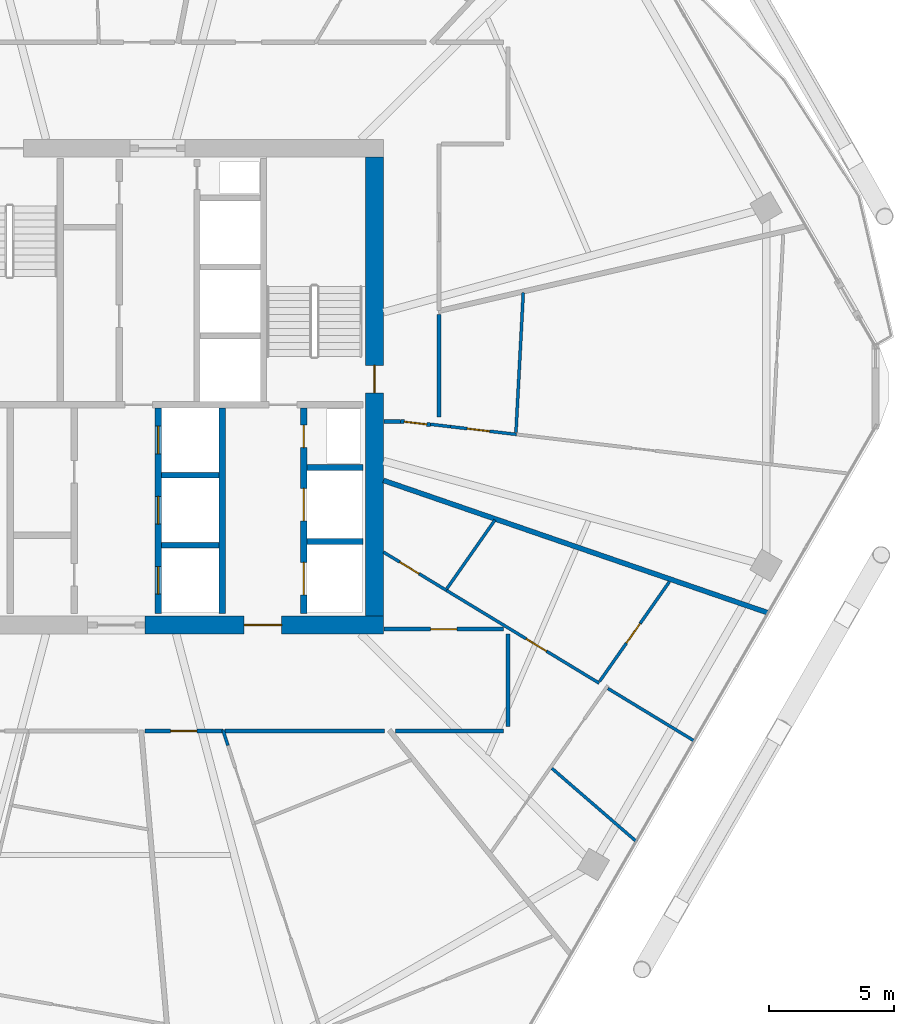
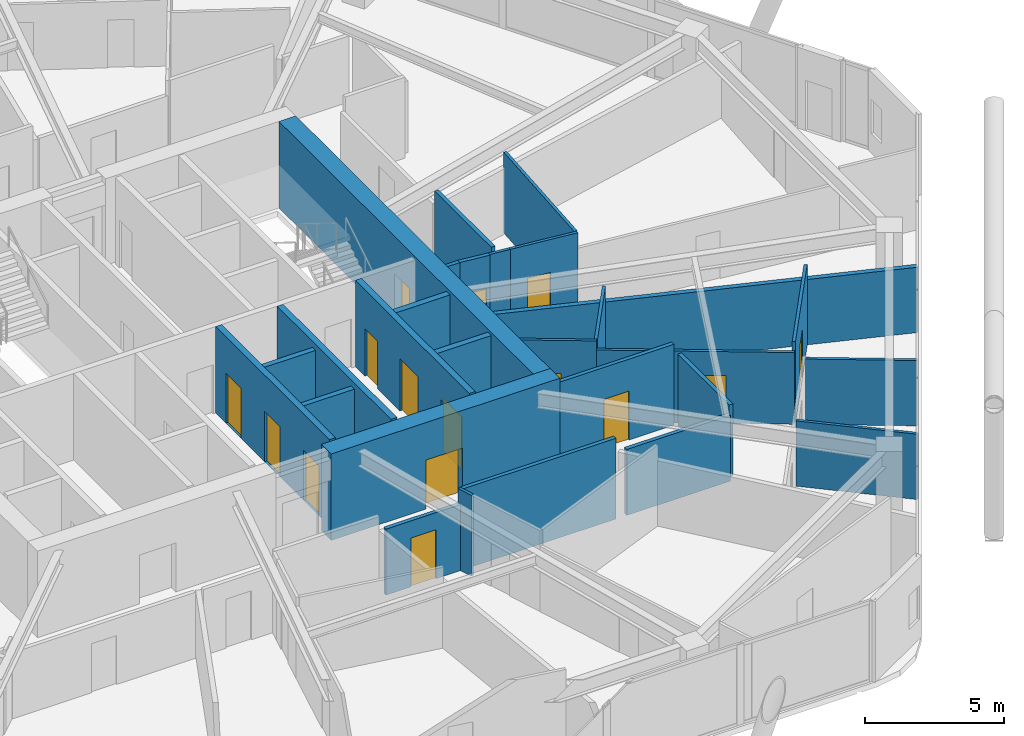
# One storey, part 21 of 27: 28 walls, 15 doors, 15 openings.
"""IFC4 building model written with IfcOpenShell, lengths in metres."""

from ifc_helpers import new_model, si_unit, direction, frame, frame_2d, origin, place, context, subcontext, project, spatial, rectangle, extrude, material, layer, layer_set, type_object, element, fill, save


model = new_model("IFC4")

# Units and contexts
model_context = context("Model", 3, precision=1e-05, world=origin(), true_north=direction((0.0, 1.0)))
body_context = subcontext(model_context, "Body", "Model", "MODEL_VIEW")
ifc_project = project(units=[si_unit("LENGTHUNIT", "METRE"), si_unit("AREAUNIT", "SQUARE_METRE"), si_unit("VOLUMEUNIT", "CUBIC_METRE"), si_unit("PLANEANGLEUNIT", "RADIAN"), si_unit("MASSUNIT", "GRAM", prefix="KILO")], contexts=[model_context])

# Site, building, storey
site_placement = place(None, origin())
site = spatial("IfcSite", under=ifc_project, at=site_placement, CompositionType="ELEMENT")
building_placement = place(site_placement, origin())
building = spatial("IfcBuilding", under=site, at=building_placement, Name="Zuhravey Tower", CompositionType="ELEMENT")
storey_placement = place(building_placement, frame((0.0, 0.0, 215.0)))
storey = spatial("IfcBuildingStorey", under=building, at=storey_placement, Name="L54", CompositionType="ELEMENT", Elevation=215.0)

# Wall, opening, door
ifc_material_1 = material(Name="Concrete C60/75", Category="concrete")
ifc_layer_1 = layer(ifc_material_1, 0.699951171875)
ifc_layer_set_1 = layer_set([ifc_layer_1], Name="Concrete C60/75")
wall_type_1 = type_object("IfcWallType", Name="Core Shear Wall 700", PredefinedType="SHEAR", material=ifc_layer_set_1)
wall_1_placement = place(storey_placement, frame((37.35009765625, 22.5, 0.0), z_axis=(0.0, 0.0, 1.0), x_axis=(1.0, 0.0, 0.0)))
wall_1 = element("IfcWall", 1, at=wall_1_placement, inside=storey, type_object=wall_type_1, Name="L54 South-East Core Shear Wall CW70", PredefinedType="SHEAR", context=body_context, shape_type="SweptSolid", body=[
    extrude(rectangle(XDim=9.5, YDim=0.699951171875, at=frame_2d((4.75, 0.0))), origin(), (0.0, 0.0, 1.0), 3.800048828125),
])
opening_1_placement = place(wall_1_placement, frame((3.949951171875, 0.0, 0.0)))
opening_1 = element("IfcOpeningElement", 2, at=opening_1_placement, cuts=wall_1, Name="Opening FFD1", PredefinedType="OPENING", context=body_context, shape_type="SweptSolid", body=[
    extrude(rectangle(XDim=1.5, YDim=2.14990234375, at=frame_2d((0.75, 1.074951171875))), frame((0.0, 0.362060546875, 0.0), z_axis=(0.0, -1.0, 0.0), x_axis=(1.0, 0.0, 0.0)), (0.0, 0.0, 1.0), 0.723876953125),
])
ifc_material_2 = material(Name="Galvanised fire-rated steel leaf", Category="steel")
door_type_1 = type_object("IfcDoorType", Name="Firefighting Lobby Double Door 1500x2150", OperationType="DOUBLE_DOOR_SINGLE_SWING", PredefinedType="DOOR", material=ifc_material_2)
door_1_placement = place(opening_1_placement, origin())
door_1 = element("IfcDoor", 3, at=door_1_placement, inside=storey, type_object=door_type_1, Name="L54 Firefighting Lobby East Door", OperationType="DOUBLE_DOOR_SINGLE_SWING", OverallHeight=2.14990234375, OverallWidth=1.5, PredefinedType="DOOR", context=body_context, shape_type="SweptSolid", body=[
    extrude(rectangle(XDim=1.5, YDim=2.14990234375, at=frame_2d((0.75, 1.074951171875))), frame((0.0, 0.02490234375, 0.0), z_axis=(0.0, -1.0, 0.0), x_axis=(1.0, 0.0, 0.0)), (0.0, 0.0, 1.0), 0.050048828125),
])
fill(opening_1, door_1)

wall_2_placement = place(storey_placement, frame((46.5, 22.85009765625, 0.0), z_axis=(0.0, 0.0, 1.0), x_axis=(0.0, 1.0, 0.0)))
wall_2 = element("IfcWall", 4, at=wall_2_placement, inside=storey, type_object=wall_type_1, Name="L54 East Core Shear Wall CW70", PredefinedType="SHEAR", context=body_context, shape_type="SweptSolid", body=[
    extrude(rectangle(XDim=18.2998046875, YDim=0.699951171875, at=frame_2d((9.14990234375, 0.0))), origin(), (0.0, 0.0, 1.0), 3.800048828125),
])
opening_2_placement = place(wall_2_placement, frame((8.89990234375, 0.0, 0.0)))
opening_2 = element("IfcOpeningElement", 5, at=opening_2_placement, cuts=wall_2, Name="Opening STD1", PredefinedType="OPENING", context=body_context, shape_type="SweptSolid", body=[
    extrude(rectangle(XDim=1.10009765625, YDim=2.14990234375, at=frame_2d((0.550048828125, 1.074951171875))), frame((0.0, 0.362060546875, 0.0), z_axis=(0.0, -1.0, 0.0), x_axis=(1.0, 0.0, 0.0)), (0.0, 0.0, 1.0), 0.723876953125),
])
door_type_2 = type_object("IfcDoorType", Name="Protected Stair Fire Door 1100x2150", OperationType="NOTDEFINED", PredefinedType="USERDEFINED", material=ifc_material_2)
door_2_placement = place(opening_2_placement, origin())
door_2 = element("IfcDoor", 6, at=door_2_placement, inside=storey, type_object=door_type_2, Name="L54 Stair ST2 Door", ObjectType="EXITDOOR", OperationType="SINGLE_SWING_RIGHT", OverallHeight=2.14990234375, OverallWidth=1.10009765625, PredefinedType="USERDEFINED", context=body_context, shape_type="SweptSolid", body=[
    extrude(rectangle(XDim=1.10009765625, YDim=2.14990234375, at=frame_2d((0.550048828125, 1.074951171875))), frame((0.0, 0.02490234375, 0.0), z_axis=(0.0, -1.0, 0.0), x_axis=(1.0, 0.0, 0.0)), (0.0, 0.0, 1.0), 0.050048828125),
])
fill(opening_2, door_2)

ifc_material_3 = material(Name="Gypsum fire-rated stud partition")
ifc_layer_2 = layer(ifc_material_3, 0.159912109375)
ifc_layer_set_2 = layer_set([ifc_layer_2], Name="Gypsum fire-rated stud partition")
wall_type_2 = type_object("IfcWallType", Name="Corridor Fire Partition 160", PredefinedType="PARTITIONING", material=ifc_layer_set_2)
wall_3_placement = place(storey_placement, frame((37.342041015625, 18.27001953125, 0.0), z_axis=(0.0, 0.0, 1.0), x_axis=(1.0, 0.0, 0.0)))
wall_3 = element("IfcWall", 7, at=wall_3_placement, inside=storey, type_object=wall_type_2, Name="L54 IW16 Partition 059", PredefinedType="PARTITIONING", context=body_context, shape_type="SweptSolid", body=[
    extrude(rectangle(XDim=3.108642578125, YDim=0.159912109375, at=frame_2d((1.55419921875, 0.0))), origin(), (0.0, 0.0, 1.0), 2.89990234375),
])
opening_3_placement = place(wall_3_placement, frame((1.029296875, 0.0, 0.0)))
opening_3 = element("IfcOpeningElement", 8, at=opening_3_placement, cuts=wall_3, Name="Opening APD1", PredefinedType="OPENING", context=body_context, shape_type="SweptSolid", body=[
    extrude(rectangle(XDim=1.050048828125, YDim=2.14990234375, at=frame_2d((0.52490234375, 1.074951171875))), frame((0.0, 0.092041015625, 0.0), z_axis=(0.0, -1.0, 0.0), x_axis=(1.0, 0.0, 0.0)), (0.0, 0.0, 1.0), 0.183837890625),
])
ifc_material_4 = material(Name="Solid-core oak fire-rated leaf")
door_type_3 = type_object("IfcDoorType", Name="Apartment Entrance Fire Door 1050x2150", OperationType="NOTDEFINED", PredefinedType="DOOR", material=ifc_material_4)
door_3_placement = place(opening_3_placement, frame((1.050048828125, 0.0, 0.0), z_axis=(0.0, 0.0, 1.0), x_axis=(-1.0, 0.0, 0.0)))
door_3 = element("IfcDoor", 9, at=door_3_placement, inside=storey, type_object=door_type_3, Name="L54 Door 059.1", OperationType="SINGLE_SWING_LEFT", OverallHeight=2.14990234375, OverallWidth=1.050048828125, PredefinedType="DOOR", context=body_context, shape_type="SweptSolid", body=[
    extrude(rectangle(XDim=1.050048828125, YDim=2.14990234375, at=frame_2d((0.52490234375, 1.074951171875))), frame((0.0, 0.02490234375, 0.0), z_axis=(0.0, -1.0, 0.0), x_axis=(1.0, 0.0, 0.0)), (0.0, 0.0, 1.0), 0.050048828125),
])
fill(opening_3, door_3)

wall_4_placement = place(storey_placement, frame((51.64990234375, 22.330078125, 0.0), z_axis=(0.0, 0.0, 1.0), x_axis=(-1.0, 0.0, 0.0)))
wall_4 = element("IfcWall", 10, at=wall_4_placement, inside=storey, type_object=wall_type_2, Name="L54 IW16 Partition 064", PredefinedType="PARTITIONING", context=body_context, shape_type="SweptSolid", body=[
    extrude(rectangle(XDim=4.77978515625, YDim=0.159912109375, at=frame_2d((2.389892578125, 0.0))), origin(), (0.0, 0.0, 1.0), 3.550048828125),
])
opening_4_placement = place(wall_4_placement, frame((1.864990234375, 0.0, 0.0)))
opening_4 = element("IfcOpeningElement", 11, at=opening_4_placement, cuts=wall_4, Name="Opening APD1", PredefinedType="OPENING", context=body_context, shape_type="SweptSolid", body=[
    extrude(rectangle(XDim=1.050048828125, YDim=2.14990234375, at=frame_2d((0.52490234375, 1.074951171875))), frame((0.0, 0.092041015625, 0.0), z_axis=(0.0, -1.0, 0.0), x_axis=(1.0, 0.0, 0.0)), (0.0, 0.0, 1.0), 0.183837890625),
])
door_4_placement = place(opening_4_placement, origin())
door_4 = element("IfcDoor", 12, at=door_4_placement, inside=storey, type_object=door_type_3, Name="L54 Door 064.1", OperationType="SINGLE_SWING_LEFT", OverallHeight=2.14990234375, OverallWidth=1.050048828125, PredefinedType="DOOR", context=body_context, shape_type="SweptSolid", body=[
    extrude(rectangle(XDim=1.050048828125, YDim=2.14990234375, at=frame_2d((0.52490234375, 1.074951171875))), frame((0.0, 0.02490234375, 0.0), z_axis=(0.0, -1.0, 0.0), x_axis=(1.0, 0.0, 0.0)), (0.0, 0.0, 1.0), 0.050048828125),
])
fill(opening_4, door_4)

wall_5_placement = place(storey_placement, frame((47.541259765625, 30.6201171875, 0.0), z_axis=(0.0, 0.0, 1.0), x_axis=(0.993117135496, -0.117125382325, 0.0)))
wall_5 = element("IfcWall", 13, at=wall_5_placement, inside=storey, type_object=wall_type_2, Name="L54 IW16 Partition 068", PredefinedType="PARTITIONING", context=body_context, shape_type="SweptSolid", body=[
    extrude(rectangle(XDim=1.196533203125, YDim=0.159912109375, at=frame_2d((0.59814453125, 0.0))), origin(), (0.0, 0.0, 1.0), 3.550048828125),
])
opening_5_placement = place(wall_5_placement, frame((0.148193359375, 0.0, 0.0)))
opening_5 = element("IfcOpeningElement", 14, at=opening_5_placement, cuts=wall_5, Name="Opening RSD1", PredefinedType="OPENING", context=body_context, shape_type="SweptSolid", body=[
    extrude(rectangle(XDim=0.89990234375, YDim=2.10009765625, at=frame_2d((0.449951171875, 1.050048828125))), frame((0.0, 0.092041015625, 0.0), z_axis=(0.0, -1.0, 0.0), x_axis=(1.0, 0.0, 0.0)), (0.0, 0.0, 1.0), 0.183837890625),
])
ifc_material_5 = material(Name="Galvanised fire-rated steel access leaf", Category="steel")
door_type_4 = type_object("IfcDoorType", Name="Riser & Shaft Access Fire Door 900x2100", OperationType="NOTDEFINED", PredefinedType="DOOR", material=ifc_material_5)
door_5_placement = place(opening_5_placement, frame((0.89990234375, 0.0, 0.0), z_axis=(0.0, 0.0, 1.0), x_axis=(-1.0, 0.0, 0.0)))
door_5 = element("IfcDoor", 15, at=door_5_placement, inside=storey, type_object=door_type_4, Name="L54 Door 068.1", OperationType="SINGLE_SWING_LEFT", OverallHeight=2.10009765625, OverallWidth=0.89990234375, PredefinedType="DOOR", context=body_context, shape_type="SweptSolid", body=[
    extrude(rectangle(XDim=0.89990234375, YDim=2.10009765625, at=frame_2d((0.449951171875, 1.050048828125))), frame((0.0, 0.02490234375, 0.0), z_axis=(0.0, -1.0, 0.0), x_axis=(1.0, 0.0, 0.0)), (0.0, 0.0, 1.0), 0.050048828125),
])
fill(opening_5, door_5)

# Walls
wall_6_placement = place(storey_placement, frame((40.543212890625, 18.27001953125, 0.0), z_axis=(0.0, 0.0, 1.0), x_axis=(1.0, 0.0, 0.0)))
element("IfcWall", 16, at=wall_6_placement, inside=storey, type_object=wall_type_2, Name="L54 IW16 Partition 135", PredefinedType="PARTITIONING", context=body_context, shape_type="SweptSolid", body=[
    extrude(rectangle(XDim=6.3525390625, YDim=0.159912109375, at=frame_2d((3.17626953125, 0.0))), origin(), (0.0, 0.0, 1.0), 3.550048828125),
])
wall_7_placement = place(storey_placement, frame((47.343994140625, 18.27001953125, 0.0), z_axis=(0.0, 0.0, 1.0), x_axis=(1.0, 0.0, 0.0)))
element("IfcWall", 17, at=wall_7_placement, inside=storey, type_object=wall_type_2, Name="L54 IW16 Partition 136", PredefinedType="PARTITIONING", context=body_context, shape_type="SweptSolid", body=[
    extrude(rectangle(XDim=4.305908203125, YDim=0.159912109375, at=frame_2d((2.15283203125, 0.0))), origin(), (0.0, 0.0, 1.0), 2.89990234375),
])
wall_8_placement = place(storey_placement, frame((51.830078125, 18.449951171875, 0.0), z_axis=(0.0, 0.0, 1.0), x_axis=(0.0, 1.0, 0.0)))
element("IfcWall", 18, at=wall_8_placement, inside=storey, type_object=wall_type_2, Name="L54 IW16 Partition 137", PredefinedType="PARTITIONING", context=body_context, shape_type="SweptSolid", body=[
    extrude(rectangle(XDim=3.699951171875, YDim=0.159912109375, at=frame_2d((1.85009765625, 0.0))), origin(), (0.0, 0.0, 1.0), 3.14990234375),
])
wall_9_placement = place(storey_placement, frame((46.8701171875, 30.6201171875, 0.0), z_axis=(0.0, 0.0, 1.0), x_axis=(1.0, 0.0, 0.0)))
element("IfcWall", 19, at=wall_9_placement, inside=storey, type_object=wall_type_2, Name="L54 IW16 Partition 138", PredefinedType="PARTITIONING", context=body_context, shape_type="SweptSolid", body=[
    extrude(rectangle(XDim=0.671142578125, YDim=0.159912109375, at=frame_2d((0.33544921875, 0.0))), origin(), (0.0, 0.0, 1.0), 3.550048828125),
])
wall_10_placement = place(storey_placement, frame((49.080078125, 30.800048828125, 0.0), z_axis=(0.0, 0.0, 1.0), x_axis=(0.0, 1.0, 0.0)))
element("IfcWall", 20, at=wall_10_placement, inside=storey, type_object=wall_type_2, Name="L54 IW16 Partition 139", PredefinedType="PARTITIONING", context=body_context, shape_type="SweptSolid", body=[
    extrude(rectangle(XDim=4.079345703125, YDim=0.159912109375, at=frame_2d((2.03955078125, 0.0))), origin(), (0.0, 0.0, 1.0), 3.550048828125),
])

# Wall, openings, doors
ifc_material_6 = material(Name="Concrete C50/60", Category="concrete")
ifc_layer_3 = layer(ifc_material_6, 0.25)
ifc_layer_set_3 = layer_set([ifc_layer_3], Name="Concrete C50/60")
wall_type_3 = type_object("IfcWallType", Name="Firefighting Shaft & Stair Wall 250", PredefinedType="SOLIDWALL", material=ifc_layer_set_3)
wall_11_placement = place(storey_placement, frame((37.875, 22.949951171875, 0.0), z_axis=(0.0, 0.0, 1.0), x_axis=(0.0, 1.0, 0.0)))
wall_11 = element("IfcWall", 21, at=wall_11_placement, inside=storey, type_object=wall_type_3, Name="L54 FW25 Shaft Wall 015", PredefinedType="SOLIDWALL", context=body_context, shape_type="SweptSolid", body=[
    extrude(rectangle(XDim=8.199951171875, YDim=0.25, at=frame_2d((4.10009765625, 0.0))), origin(), (0.0, 0.0, 1.0), 3.800048828125),
])
opening_6_placement = place(wall_11_placement, frame((0.77490234375, 0.0, 0.0)))
opening_6 = element("IfcOpeningElement", 22, at=opening_6_placement, cuts=wall_11, Name="Opening LD1", PredefinedType="OPENING", context=body_context, shape_type="SweptSolid", body=[
    extrude(rectangle(XDim=1.10009765625, YDim=2.199951171875, at=frame_2d((0.550048828125, 1.10009765625))), frame((0.0, 0.136962890625, 0.0), z_axis=(0.0, -1.0, 0.0), x_axis=(1.0, 0.0, 0.0)), (0.0, 0.0, 1.0), 0.27392578125),
])
opening_7_placement = place(wall_11_placement, frame((3.574951171875, 0.0, 0.0)))
opening_7 = element("IfcOpeningElement", 23, at=opening_7_placement, cuts=wall_11, Name="Opening LD1", PredefinedType="OPENING", context=body_context, shape_type="SweptSolid", body=[
    extrude(rectangle(XDim=1.10009765625, YDim=2.199951171875, at=frame_2d((0.550048828125, 1.10009765625))), frame((0.0, 0.136962890625, 0.0), z_axis=(0.0, -1.0, 0.0), x_axis=(1.0, 0.0, 0.0)), (0.0, 0.0, 1.0), 0.27392578125),
])
opening_8_placement = place(wall_11_placement, frame((6.375, 0.0, 0.0)))
opening_8 = element("IfcOpeningElement", 24, at=opening_8_placement, cuts=wall_11, Name="Opening LD1", PredefinedType="OPENING", context=body_context, shape_type="SweptSolid", body=[
    extrude(rectangle(XDim=1.10009765625, YDim=2.199951171875, at=frame_2d((0.550048828125, 1.10009765625))), frame((0.0, 0.136962890625, 0.0), z_axis=(0.0, -1.0, 0.0), x_axis=(1.0, 0.0, 0.0)), (0.0, 0.0, 1.0), 0.27392578125),
])
ifc_material_7 = material(Name="Brushed stainless steel", Category="steel")
door_type_5 = type_object("IfcDoorType", Name="Lift Landing Sliding Door 1100x2200", OperationType="DOUBLE_DOOR_SLIDING", PredefinedType="DOOR", material=ifc_material_7)
door_6_placement = place(opening_6_placement, origin())
door_6 = element("IfcDoor", 25, at=door_6_placement, inside=storey, type_object=door_type_5, Name="L54 Lift PL4 Landing Door", OperationType="DOUBLE_DOOR_SLIDING", OverallHeight=2.199951171875, OverallWidth=1.10009765625, PredefinedType="DOOR", context=body_context, shape_type="SweptSolid", body=[
    extrude(rectangle(XDim=1.10009765625, YDim=2.199951171875, at=frame_2d((0.550048828125, 1.10009765625))), frame((0.0, 0.02490234375, 0.0), z_axis=(0.0, -1.0, 0.0), x_axis=(1.0, 0.0, 0.0)), (0.0, 0.0, 1.0), 0.050048828125),
])
fill(opening_6, door_6)
door_7_placement = place(opening_7_placement, origin())
door_7 = element("IfcDoor", 26, at=door_7_placement, inside=storey, type_object=door_type_5, Name="L54 Lift PL5 Landing Door", OperationType="DOUBLE_DOOR_SLIDING", OverallHeight=2.199951171875, OverallWidth=1.10009765625, PredefinedType="DOOR", context=body_context, shape_type="SweptSolid", body=[
    extrude(rectangle(XDim=1.10009765625, YDim=2.199951171875, at=frame_2d((0.550048828125, 1.10009765625))), frame((0.0, 0.02490234375, 0.0), z_axis=(0.0, -1.0, 0.0), x_axis=(1.0, 0.0, 0.0)), (0.0, 0.0, 1.0), 0.050048828125),
])
fill(opening_7, door_7)
door_8_placement = place(opening_8_placement, origin())
door_8 = element("IfcDoor", 27, at=door_8_placement, inside=storey, type_object=door_type_5, Name="L54 Lift PL6 Landing Door", OperationType="DOUBLE_DOOR_SLIDING", OverallHeight=2.199951171875, OverallWidth=1.10009765625, PredefinedType="DOOR", context=body_context, shape_type="SweptSolid", body=[
    extrude(rectangle(XDim=1.10009765625, YDim=2.199951171875, at=frame_2d((0.550048828125, 1.10009765625))), frame((0.0, 0.02490234375, 0.0), z_axis=(0.0, -1.0, 0.0), x_axis=(1.0, 0.0, 0.0)), (0.0, 0.0, 1.0), 0.050048828125),
])
fill(opening_8, door_8)

# Walls
wall_12_placement = place(storey_placement, frame((40.425048828125, 22.949951171875, 0.0), z_axis=(0.0, 0.0, 1.0), x_axis=(0.0, 1.0, 0.0)))
element("IfcWall", 28, at=wall_12_placement, inside=storey, type_object=wall_type_3, Name="L54 FW25 Shaft Wall 016", PredefinedType="SOLIDWALL", context=body_context, shape_type="SweptSolid", body=[
    extrude(rectangle(XDim=8.199951171875, YDim=0.25, at=frame_2d((4.10009765625, 0.0))), origin(), (0.0, 0.0, 1.0), 3.800048828125),
])
for number, where, z_axis, x_axis, name in (
    (29, (43.800048828125, 25.824951171875, 0.0), (0.0, 0.0, 1.0), (1.0, 0.0, 0.0), "L54 FW25 Shaft Wall 017"),
    (30, (43.800048828125, 28.77490234375, 0.0), (0.0, 0.0, 1.0), (1.0, 0.0, 0.0), "L54 FW25 Shaft Wall 018"),
):
    element("IfcWall", number, at=place(storey_placement, frame(where, z_axis=z_axis, x_axis=x_axis)), inside=storey, type_object=wall_type_3, Name=name, PredefinedType="SOLIDWALL", context=body_context, shape_type="SweptSolid", body=[
        extrude(rectangle(XDim=2.25, YDim=0.25, at=frame_2d((1.125, 0.0))), origin(), (0.0, 0.0, 1.0), 3.800048828125),
    ])

# Wall, openings, doors
wall_13_placement = place(storey_placement, frame((43.675048828125, 22.949951171875, 0.0), z_axis=(0.0, 0.0, 1.0), x_axis=(0.0, 1.0, 0.0)))
wall_13 = element("IfcWall", 31, at=wall_13_placement, inside=storey, type_object=wall_type_3, Name="L54 FW25 Shaft Wall 019", PredefinedType="SOLIDWALL", context=body_context, shape_type="SweptSolid", body=[
    extrude(rectangle(XDim=8.199951171875, YDim=0.25, at=frame_2d((4.10009765625, 0.0))), origin(), (0.0, 0.0, 1.0), 3.800048828125),
])
opening_9_placement = place(wall_13_placement, frame((0.75, 0.0, 0.0)))
opening_9 = element("IfcOpeningElement", 32, at=opening_9_placement, cuts=wall_13, Name="Opening LD2", PredefinedType="OPENING", context=body_context, shape_type="SweptSolid", body=[
    extrude(rectangle(XDim=1.300048828125, YDim=2.300048828125, at=frame_2d((0.64990234375, 1.14990234375))), frame((0.0, 0.136962890625, 0.0), z_axis=(0.0, -1.0, 0.0), x_axis=(1.0, 0.0, 0.0)), (0.0, 0.0, 1.0), 0.27392578125),
])
opening_10_placement = place(wall_13_placement, frame((3.699951171875, 0.0, 0.0)))
opening_10 = element("IfcOpeningElement", 33, at=opening_10_placement, cuts=wall_13, Name="Opening LD2", PredefinedType="OPENING", context=body_context, shape_type="SweptSolid", body=[
    extrude(rectangle(XDim=1.300048828125, YDim=2.300048828125, at=frame_2d((0.64990234375, 1.14990234375))), frame((0.0, 0.136962890625, 0.0), z_axis=(0.0, -1.0, 0.0), x_axis=(1.0, 0.0, 0.0)), (0.0, 0.0, 1.0), 0.27392578125),
])
opening_11_placement = place(wall_13_placement, frame((6.6201171875, 0.0, 0.0)))
opening_11 = element("IfcOpeningElement", 34, at=opening_11_placement, cuts=wall_13, Name="Opening RSD1", PredefinedType="OPENING", context=body_context, shape_type="SweptSolid", body=[
    extrude(rectangle(XDim=0.89990234375, YDim=2.10009765625, at=frame_2d((0.449951171875, 1.050048828125))), frame((0.0, 0.136962890625, 0.0), z_axis=(0.0, -1.0, 0.0), x_axis=(1.0, 0.0, 0.0)), (0.0, 0.0, 1.0), 0.27392578125),
])
door_type_6 = type_object("IfcDoorType", Name="Freight & Stretcher Lift Sliding Door 1300x2300", OperationType="DOUBLE_DOOR_SLIDING", PredefinedType="DOOR", material=ifc_material_7)
door_9_placement = place(opening_9_placement, origin())
door_9 = element("IfcDoor", 35, at=door_9_placement, inside=storey, type_object=door_type_6, Name="L54 Lift FF2 Landing Door", OperationType="DOUBLE_DOOR_SLIDING", OverallHeight=2.300048828125, OverallWidth=1.300048828125, PredefinedType="DOOR", context=body_context, shape_type="SweptSolid", body=[
    extrude(rectangle(XDim=1.300048828125, YDim=2.300048828125, at=frame_2d((0.64990234375, 1.14990234375))), frame((0.0, 0.02490234375, 0.0), z_axis=(0.0, -1.0, 0.0), x_axis=(1.0, 0.0, 0.0)), (0.0, 0.0, 1.0), 0.050048828125),
])
fill(opening_9, door_9)
door_10_placement = place(opening_10_placement, origin())
door_10 = element("IfcDoor", 36, at=door_10_placement, inside=storey, type_object=door_type_6, Name="L54 Lift SV1 Landing Door", OperationType="DOUBLE_DOOR_SLIDING", OverallHeight=2.300048828125, OverallWidth=1.300048828125, PredefinedType="DOOR", context=body_context, shape_type="SweptSolid", body=[
    extrude(rectangle(XDim=1.300048828125, YDim=2.300048828125, at=frame_2d((0.64990234375, 1.14990234375))), frame((0.0, 0.02490234375, 0.0), z_axis=(0.0, -1.0, 0.0), x_axis=(1.0, 0.0, 0.0)), (0.0, 0.0, 1.0), 0.050048828125),
])
fill(opening_10, door_10)
door_11_placement = place(opening_11_placement, origin())
door_11 = element("IfcDoor", 37, at=door_11_placement, inside=storey, type_object=door_type_4, Name="L54 Plumbing Riser Door", OperationType="SINGLE_SWING_RIGHT", OverallHeight=2.10009765625, OverallWidth=0.89990234375, PredefinedType="DOOR", context=body_context, shape_type="SweptSolid", body=[
    extrude(rectangle(XDim=0.89990234375, YDim=2.10009765625, at=frame_2d((0.449951171875, 1.050048828125))), frame((0.0, 0.02490234375, 0.0), z_axis=(0.0, -1.0, 0.0), x_axis=(1.0, 0.0, 0.0)), (0.0, 0.0, 1.0), 0.050048828125),
])
fill(opening_11, door_11)

# Walls
ifc_material_8 = material(Name="Gypsum double-stud party assembly")
ifc_layer_4 = layer(ifc_material_8, 0.199951171875)
ifc_layer_set_4 = layer_set([ifc_layer_4], Name="Gypsum double-stud party assembly")
wall_type_4 = type_object("IfcWallType", Name="Inter-Tenancy Party Wall 200", PredefinedType="PARTITIONING", material=ifc_layer_set_4)
wall_14_placement = place(storey_placement, frame((46.85791015625, 28.26123046875, 0.0), z_axis=(0.0, 0.0, 1.0), x_axis=(0.945519192018, -0.325566364243, 0.0)))
element("IfcWall", 38, at=wall_14_placement, inside=storey, type_object=wall_type_4, Name="L54 IW20 Partition 117", PredefinedType="PARTITIONING", context=body_context, shape_type="SweptSolid", body=[
    extrude(rectangle(XDim=16.208251953125, YDim=0.199951171875, at=frame_2d((8.10400390625, 0.0))), origin(), (0.0, 0.0, 1.0), 2.8701171875),
])
ifc_material_9 = material(Name="Gypsum acoustic stud assembly")
ifc_layer_5 = layer(ifc_material_9, 0.219970703125)
ifc_layer_set_5 = layer_set([ifc_layer_5], Name="Gypsum acoustic stud assembly")
wall_type_5 = type_object("IfcWallType", Name="School Acoustic Compartment Wall 220", PredefinedType="PARTITIONING", material=ifc_layer_set_5)
for number, where, z_axis, x_axis, name in (
    (39, (38.008056640625, 25.675048828125, 0.0), (0.0, 0.0, 1.0), (1.0, 0.0, 0.0), "L54 IW22 Partition 074"),
    (40, (38.008056640625, 28.47509765625, 0.0), (0.0, 0.0, 1.0), (1.0, 0.0, 0.0), "L54 IW22 Partition 075"),
):
    element("IfcWall", number, at=place(storey_placement, frame(where, z_axis=z_axis, x_axis=x_axis)), inside=storey, type_object=wall_type_5, Name=name, PredefinedType="PARTITIONING", context=body_context, shape_type="SweptSolid", body=[
        extrude(rectangle(XDim=2.283935546875, YDim=0.219970703125, at=frame_2d((1.14208984375, 0.0))), origin(), (0.0, 0.0, 1.0), 3.550048828125),
    ])

# Wall, opening, door
ifc_material_10 = material(Name="Gypsum metal-stud partition")
ifc_layer_6 = layer(ifc_material_10, 0.1201171875)
ifc_layer_set_6 = layer_set([ifc_layer_6], Name="Gypsum metal-stud partition")
wall_type_6 = type_object("IfcWallType", Name="Unit Internal Partition 120", PredefinedType="PARTITIONING", material=ifc_layer_set_6)
wall_15_placement = place(storey_placement, frame((46.85791015625, 25.403564453125, 0.0), z_axis=(0.0, 0.0, 1.0), x_axis=(0.85464129029, -0.519218898857, 0.0)))
wall_15 = element("IfcWall", 41, at=wall_15_placement, inside=storey, type_object=wall_type_6, Name="L54 IW12 Partition 061", PredefinedType="PARTITIONING", context=body_context, shape_type="SweptSolid", body=[
    extrude(rectangle(XDim=2.93701171875, YDim=0.1201171875, at=frame_2d((1.468505859375, 0.0))), origin(), (0.0, 0.0, 1.0), 3.550048828125),
])
opening_12_placement = place(wall_15_placement, frame((0.760986328125, 0.0, 0.0)))
opening_12 = element("IfcOpeningElement", 42, at=opening_12_placement, cuts=wall_15, Name="Opening WCD1", PredefinedType="OPENING", context=body_context, shape_type="SweptSolid", body=[
    extrude(rectangle(XDim=0.89990234375, YDim=2.10009765625, at=frame_2d((0.449951171875, 1.050048828125))), frame((0.0, 0.072021484375, 0.0), z_axis=(0.0, -1.0, 0.0), x_axis=(1.0, 0.0, 0.0)), (0.0, 0.0, 1.0), 0.14404296875),
])
ifc_material_11 = material(Name="Moisture-resistant timber leaf", Category="wood")
door_type_7 = type_object("IfcDoorType", Name="Bathroom & WC Internal Door 900x2100", OperationType="NOTDEFINED", PredefinedType="DOOR", material=ifc_material_11)
door_12_placement = place(opening_12_placement, origin())
door_12 = element("IfcDoor", 43, at=door_12_placement, inside=storey, type_object=door_type_7, Name="Apartment L54-09 Bathroom Door", OperationType="SINGLE_SWING_RIGHT", OverallHeight=2.10009765625, OverallWidth=0.89990234375, PredefinedType="DOOR", context=body_context, shape_type="SweptSolid", body=[
    extrude(rectangle(XDim=0.89990234375, YDim=2.10009765625, at=frame_2d((0.449951171875, 1.050048828125))), frame((0.0, 0.02490234375, 0.0), z_axis=(0.0, -1.0, 0.0), x_axis=(1.0, 0.0, 0.0)), (0.0, 0.0, 1.0), 0.050048828125),
])
fill(opening_12, door_12)

wall_16_placement = place(storey_placement, frame((49.367919921875, 23.878662109375, 0.0), z_axis=(0.0, 0.0, 1.0), x_axis=(0.854630517303, -0.519236630925, 0.0)))
wall_16 = element("IfcWall", 44, at=wall_16_placement, inside=storey, type_object=wall_type_6, Name="L54 IW12 Partition 062", PredefinedType="PARTITIONING", context=body_context, shape_type="SweptSolid", body=[
    extrude(rectangle(XDim=7.1220703125, YDim=0.1201171875, at=frame_2d((3.56103515625, 0.0))), origin(), (0.0, 0.0, 1.0), 3.14990234375),
])
opening_13_placement = place(wall_16_placement, frame((3.720947265625, 0.0, 0.0)))
opening_13 = element("IfcOpeningElement", 45, at=opening_13_placement, cuts=wall_16, Name="Opening IND1", PredefinedType="OPENING", context=body_context, shape_type="SweptSolid", body=[
    extrude(rectangle(XDim=0.949951171875, YDim=2.10009765625, at=frame_2d((0.47509765625, 1.050048828125))), frame((0.0, 0.072021484375, 0.0), z_axis=(0.0, -1.0, 0.0), x_axis=(1.0, 0.0, 0.0)), (0.0, 0.0, 1.0), 0.14404296875),
])
ifc_material_12 = material(Name="Painted engineered timber leaf", Category="wood")
door_type_8 = type_object("IfcDoorType", Name="Internal Room & Bedroom Door 950x2100", OperationType="NOTDEFINED", PredefinedType="DOOR", material=ifc_material_12)
door_13_placement = place(opening_13_placement, origin())
door_13 = element("IfcDoor", 46, at=door_13_placement, inside=storey, type_object=door_type_8, Name="Apartment L54-09 Home Office Door", OperationType="SINGLE_SWING_LEFT", OverallHeight=2.10009765625, OverallWidth=0.949951171875, PredefinedType="DOOR", context=body_context, shape_type="SweptSolid", body=[
    extrude(rectangle(XDim=0.949951171875, YDim=2.10009765625, at=frame_2d((0.47509765625, 1.050048828125))), frame((0.0, 0.02490234375, 0.0), z_axis=(0.0, -1.0, 0.0), x_axis=(1.0, 0.0, 0.0)), (0.0, 0.0, 1.0), 0.050048828125),
])
fill(opening_13, door_13)

wall_17_placement = place(storey_placement, frame((55.47216796875, 20.24951171875, 0.0), z_axis=(0.0, 0.0, 1.0), x_axis=(0.573594011526, 0.819139737738, 0.0)))
wall_17 = element("IfcWall", 47, at=wall_17_placement, inside=storey, type_object=wall_type_6, Name="L54 IW12 Partition 063", PredefinedType="PARTITIONING", context=body_context, shape_type="SweptSolid", body=[
    extrude(rectangle(XDim=4.85302734375, YDim=0.1201171875, at=frame_2d((2.426513671875, 0.0))), origin(), (0.0, 0.0, 1.0), 3.550048828125),
])
opening_14_placement = place(wall_17_placement, frame((1.867431640625, 0.0, 0.0)))
opening_14 = element("IfcOpeningElement", 48, at=opening_14_placement, cuts=wall_17, Name="Opening IND1", PredefinedType="OPENING", context=body_context, shape_type="SweptSolid", body=[
    extrude(rectangle(XDim=0.949951171875, YDim=2.10009765625, at=frame_2d((0.47509765625, 1.050048828125))), frame((0.0, 0.072021484375, 0.0), z_axis=(0.0, -1.0, 0.0), x_axis=(1.0, 0.0, 0.0)), (0.0, 0.0, 1.0), 0.14404296875),
])
door_14_placement = place(opening_14_placement, frame((0.949951171875, 0.0, 0.0), z_axis=(0.0, 0.0, 1.0), x_axis=(-1.0, 0.0, 0.0)))
door_14 = element("IfcDoor", 49, at=door_14_placement, inside=storey, type_object=door_type_8, Name="Apartment L54-09 Kitchen Door", OperationType="SINGLE_SWING_RIGHT", OverallHeight=2.10009765625, OverallWidth=0.949951171875, PredefinedType="DOOR", context=body_context, shape_type="SweptSolid", body=[
    extrude(rectangle(XDim=0.949951171875, YDim=2.10009765625, at=frame_2d((0.47509765625, 1.050048828125))), frame((0.0, 0.02490234375, 0.0), z_axis=(0.0, -1.0, 0.0), x_axis=(1.0, 0.0, 0.0)), (0.0, 0.0, 1.0), 0.050048828125),
])
fill(opening_14, door_14)

wall_18_placement = place(storey_placement, frame((49.53662109375, 30.405029296875, 0.0), z_axis=(0.0, 0.0, 1.0), x_axis=(0.993127868893, -0.117034336965, 0.0)))
wall_18 = element("IfcWall", 50, at=wall_18_placement, inside=storey, type_object=wall_type_6, Name="L54 IW12 Partition 065", PredefinedType="PARTITIONING", context=body_context, shape_type="SweptSolid", body=[
    extrude(rectangle(XDim=2.640869140625, YDim=0.1201171875, at=frame_2d((1.3203125, 0.0))), origin(), (0.0, 0.0, 1.0), 3.550048828125),
])
opening_15_placement = place(wall_18_placement, frame((0.6591796875, 0.0, 0.0)))
opening_15 = element("IfcOpeningElement", 51, at=opening_15_placement, cuts=wall_18, Name="Opening WCD1", PredefinedType="OPENING", context=body_context, shape_type="SweptSolid", body=[
    extrude(rectangle(XDim=0.89990234375, YDim=2.10009765625, at=frame_2d((0.449951171875, 1.050048828125))), frame((0.0, 0.072021484375, 0.0), z_axis=(0.0, -1.0, 0.0), x_axis=(1.0, 0.0, 0.0)), (0.0, 0.0, 1.0), 0.14404296875),
])
door_15_placement = place(opening_15_placement, origin())
door_15 = element("IfcDoor", 52, at=door_15_placement, inside=storey, type_object=door_type_7, Name="Apartment L54-10 Bathroom Door", OperationType="SINGLE_SWING_RIGHT", OverallHeight=2.10009765625, OverallWidth=0.89990234375, PredefinedType="DOOR", context=body_context, shape_type="SweptSolid", body=[
    extrude(rectangle(XDim=0.89990234375, YDim=2.10009765625, at=frame_2d((0.449951171875, 1.050048828125))), frame((0.0, 0.02490234375, 0.0), z_axis=(0.0, -1.0, 0.0), x_axis=(1.0, 0.0, 0.0)), (0.0, 0.0, 1.0), 0.050048828125),
])
fill(opening_15, door_15)

# Walls
wall_19_placement = place(storey_placement, frame((40.45751953125, 18.313720703125, 0.0), z_axis=(0.0, 0.0, 1.0), x_axis=(0.309753046397, -0.95081704352, 0.0)))
element("IfcWall", 53, at=wall_19_placement, inside=storey, type_object=wall_type_6, Name="L54 IW12 Partition 110", PredefinedType="PARTITIONING", context=body_context, shape_type="SweptSolid", body=[
    extrude(rectangle(XDim=0.6455078125, YDim=0.1201171875, at=frame_2d((0.32275390625, 0.0))), origin(), (0.0, 0.0, 1.0), 3.550048828125),
])
wall_20_placement = place(storey_placement, frame((53.57421875, 16.7822265625, 0.0), z_axis=(0.0, 0.0, 1.0), x_axis=(0.755950625929, -0.654628636066, 0.0)))
element("IfcWall", 54, at=wall_20_placement, inside=storey, type_object=wall_type_6, Name="L54 IW12 Partition 114", PredefinedType="PARTITIONING", context=body_context, shape_type="SweptSolid", body=[
    extrude(rectangle(XDim=4.46484375, YDim=0.1201171875, at=frame_2d((2.232421875, 0.0))), origin(), (0.0, 0.0, 1.0), 2.8701171875),
])
wall_21_placement = place(storey_placement, frame((55.8046875, 19.968017578125, 0.0), z_axis=(0.0, 0.0, 1.0), x_axis=(0.854635512636, -0.519228408835, 0.0)))
element("IfcWall", 55, at=wall_21_placement, inside=storey, type_object=wall_type_6, Name="L54 IW12 Partition 115", PredefinedType="PARTITIONING", context=body_context, shape_type="SweptSolid", body=[
    extrude(rectangle(XDim=4.021728515625, YDim=0.1201171875, at=frame_2d((2.0107421875, 0.0))), origin(), (0.0, 0.0, 1.0), 2.8701171875),
])
wall_22_placement = place(storey_placement, frame((49.385498046875, 23.947509765625, 0.0), z_axis=(0.0, 0.0, 1.0), x_axis=(0.573609327382, 0.819129012757, 0.0)))
element("IfcWall", 56, at=wall_22_placement, inside=storey, type_object=wall_type_6, Name="L54 IW12 Partition 116", PredefinedType="PARTITIONING", context=body_context, shape_type="SweptSolid", body=[
    extrude(rectangle(XDim=3.343994140625, YDim=0.1201171875, at=frame_2d((1.671875, 0.0))), origin(), (0.0, 0.0, 1.0), 3.550048828125),
])
wall_23_placement = place(storey_placement, frame((48.731689453125, 30.499755859375, 0.0), z_axis=(0.0, 0.0, 1.0), x_axis=(0.993146491389, -0.116876202202, 0.0)))
element("IfcWall", 57, at=wall_23_placement, inside=storey, type_object=wall_type_6, Name="L54 IW12 Partition 118", PredefinedType="PARTITIONING", context=body_context, shape_type="SweptSolid", body=[
    extrude(rectangle(XDim=0.810546875, YDim=0.1201171875, at=frame_2d((0.4052734375, 0.0))), origin(), (0.0, 0.0, 1.0), 3.550048828125),
])
wall_24_placement = place(storey_placement, frame((52.13818359375, 30.1669921875, 0.0), z_axis=(0.0, 0.0, 1.0), x_axis=(0.052317957022, 0.998630477891, 0.0)))
element("IfcWall", 58, at=wall_24_placement, inside=storey, type_object=wall_type_6, Name="L54 IW12 Partition 120", PredefinedType="PARTITIONING", context=body_context, shape_type="SweptSolid", body=[
    extrude(rectangle(XDim=5.585693359375, YDim=0.1201171875, at=frame_2d((2.79296875, 0.0))), origin(), (0.0, 0.0, 1.0), 3.550048828125),
])

save(model, "model.ifc")
